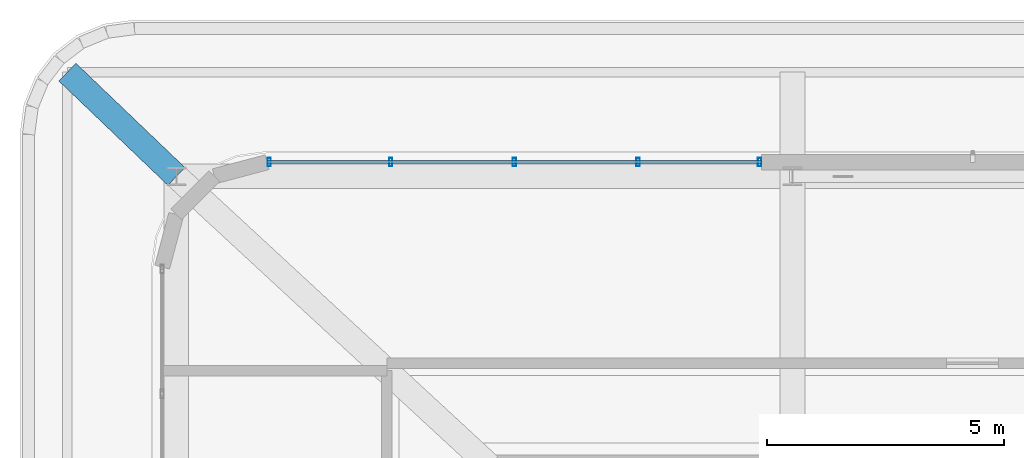
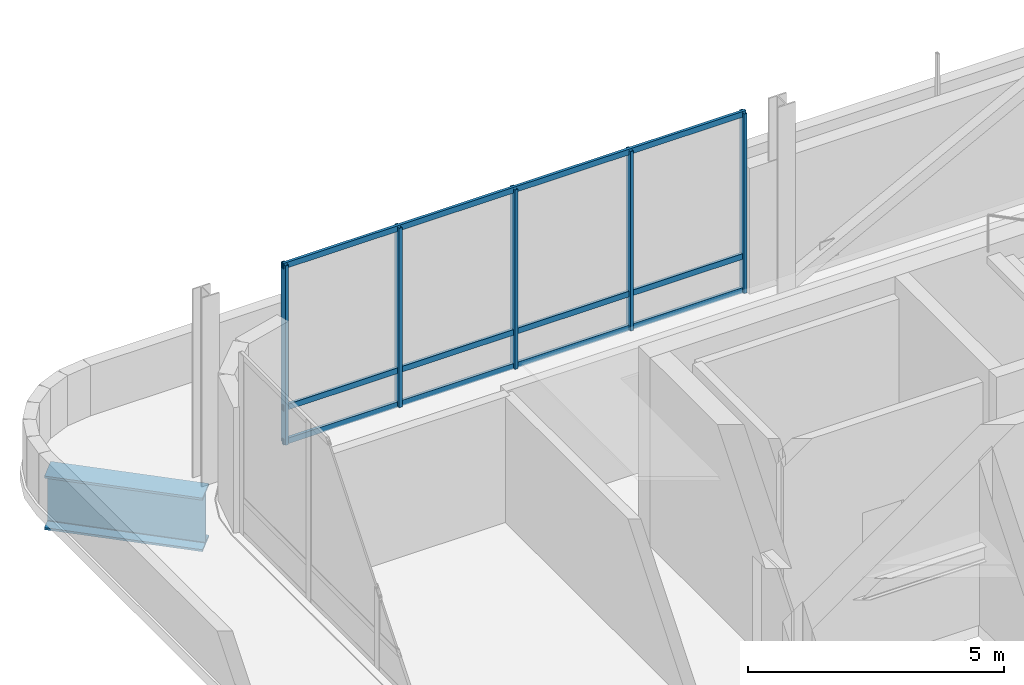
# One storey, part 17 of 28: 8 members, 1 beam, 1 element without a shape of its own.
"""IFC4 building model written with IfcOpenShell, lengths in metres."""

from ifc_helpers import new_model, si_unit, direction, frame, origin, origin_2d, place, context, subcontext, project, spatial, hollow_rectangle, i_section, extrude, material, material_profile, profile_set, type_object, element, aggregate, save


model = new_model("IFC4")

# Units and contexts
model_context = context("Model", 3, precision=1e-05, world=origin(), true_north=direction((0.0, 1.0)))
body_context = subcontext(model_context, "Body", "Model", "MODEL_VIEW")
ifc_project = project(units=[si_unit("LENGTHUNIT", "METRE"), si_unit("AREAUNIT", "SQUARE_METRE"), si_unit("VOLUMEUNIT", "CUBIC_METRE"), si_unit("PLANEANGLEUNIT", "RADIAN"), si_unit("MASSUNIT", "GRAM", prefix="KILO")], contexts=[model_context])

# Site, building, storey
site_placement = place(None, origin())
site = spatial("IfcSite", under=ifc_project, at=site_placement, CompositionType="ELEMENT")
building_placement = place(site_placement, origin())
building = spatial("IfcBuilding", under=site, at=building_placement, Name="Punatoya Terracotta Tower", CompositionType="ELEMENT")
storey_placement = place(building_placement, frame((0.0, 0.0, 352.800048828125)))
storey = spatial("IfcBuildingStorey", under=building, at=storey_placement, Name="L83", CompositionType="ELEMENT", Elevation=352.800048828125)

# Beam
ifc_material_1 = material(Name="Steel S460", Category="steel")
ifc_material_profile_1 = material_profile(ifc_material_1, i_section(OverallWidth=0.52001953125, OverallDepth=1.280029296875, WebThickness=0.031982421875, FlangeThickness=0.050048828125, FilletRadius=0.01806640625, at=origin_2d()))
ifc_profile_set_1 = profile_set([ifc_material_profile_1], Name="Steel S460")
beam_type = type_object("IfcBeamType", Name="BM-TG-NCK", PredefinedType="BEAM", material=ifc_profile_set_1)
beam_placement = place(storey_placement, frame((-19.10009765625, 17.5, -0.920166015625), z_axis=(0.722656850058, -0.691206971221, 0.0), x_axis=(0.691206971221, 0.722656850058, 0.0)))
element("IfcBeam", 1, at=beam_placement, inside=storey, type_object=beam_type, Name="BM-L83-CD4A", PredefinedType="BEAM", context=body_context, shape_type="SweptSolid", body=[
    extrude(i_section(OverallWidth=0.52001953125, OverallDepth=1.280029296875, WebThickness=0.031982421875, FlangeThickness=0.050048828125, FilletRadius=0.01806640625, at=origin_2d()), origin(), (0.0, 0.0, 1.0), 3.182861328125),
])

# Curtain wall, members
ifc_material_2 = material(Name="Aluminium 6063-T6 + Double Low-E Glass", Category="aluminium")
curtain_wall_type = type_object("IfcCurtainWallType", Name="CW-CRN", PredefinedType="NOTDEFINED", material=ifc_material_2)
curtain_wall_placement = place(storey_placement, origin())
curtain_wall = element("IfcCurtainWall", 2, at=curtain_wall_placement, inside=storey, type_object=curtain_wall_type, Name="L83 Curtain Wall CW-L83-N09-2", PredefinedType="NOTDEFINED")
ifc_material_3 = material(Name="Aluminium 6063-T6", Category="aluminium")
ifc_material_profile_2 = material_profile(ifc_material_3, hollow_rectangle(XDim=0.070068359375, YDim=0.179931640625, WallThickness=0.00390625, at=origin_2d()))
ifc_profile_set_2 = profile_set([ifc_material_profile_2], Name="Aluminium 6063-T6")
member_type_1 = type_object("IfcMemberType", Name="CW-MUL-M3", PredefinedType="MULLION", material=ifc_profile_set_2)
member_1_placement = place(storey_placement, frame((-4.4951171875, 15.60009765625, 0.0), z_axis=(0.0, 0.0, 1.0), x_axis=(1.0, 0.0, 0.0)))
member_1 = element("IfcMember", 3, at=member_1_placement, type_object=member_type_1, Name="CW-L83-N09-2 Mullion 00", PredefinedType="MULLION", context=body_context, shape_type="SweptSolid", body=[
    extrude(hollow_rectangle(XDim=0.070068359375, YDim=0.179931640625, WallThickness=0.00390625, at=origin_2d()), origin(), (0.0, 0.0, 1.0), 4.280029296875),
])
member_2_placement = place(storey_placement, frame((-7.05908203125, 15.60009765625, 0.0), z_axis=(0.0, 0.0, 1.0), x_axis=(1.0, 0.0, 0.0)))
member_2 = element("IfcMember", 4, at=member_2_placement, type_object=member_type_1, Name="CW-L83-N09-2 Mullion 01", PredefinedType="MULLION", context=body_context, shape_type="SweptSolid", body=[
    extrude(hollow_rectangle(XDim=0.070068359375, YDim=0.179931640625, WallThickness=0.00390625, at=origin_2d()), origin(), (0.0, 0.0, 1.0), 4.280029296875),
])
member_3_placement = place(storey_placement, frame((-9.66845703125, 15.60009765625, 0.0), z_axis=(0.0, 0.0, 1.0), x_axis=(1.0, 0.0, 0.0)))
member_3 = element("IfcMember", 5, at=member_3_placement, type_object=member_type_1, Name="CW-L83-N09-2 Mullion 02", PredefinedType="MULLION", context=body_context, shape_type="SweptSolid", body=[
    extrude(hollow_rectangle(XDim=0.070068359375, YDim=0.179931640625, WallThickness=0.00390625, at=origin_2d()), origin(), (0.0, 0.0, 1.0), 4.280029296875),
])
member_4_placement = place(storey_placement, frame((-12.277587890625, 15.60009765625, 0.0), z_axis=(0.0, 0.0, 1.0), x_axis=(1.0, 0.0, 0.0)))
member_4 = element("IfcMember", 6, at=member_4_placement, type_object=member_type_1, Name="CW-L83-N09-2 Mullion 03", PredefinedType="MULLION", context=body_context, shape_type="SweptSolid", body=[
    extrude(hollow_rectangle(XDim=0.070068359375, YDim=0.179931640625, WallThickness=0.00390625, at=origin_2d()), origin(), (0.0, 0.0, 1.0), 4.280029296875),
])
member_5_placement = place(storey_placement, frame((-14.841796875, 15.60009765625, 0.0), z_axis=(0.0, 0.0, 1.0), x_axis=(1.0, 0.0, 0.0)))
member_5 = element("IfcMember", 7, at=member_5_placement, type_object=member_type_1, Name="CW-L83-N09-2 Mullion 04", PredefinedType="MULLION", context=body_context, shape_type="SweptSolid", body=[
    extrude(hollow_rectangle(XDim=0.070068359375, YDim=0.179931640625, WallThickness=0.00390625, at=origin_2d()), origin(), (0.0, 0.0, 1.0), 4.280029296875),
])
ifc_material_profile_3 = material_profile(ifc_material_3, hollow_rectangle(XDim=0.06201171875, YDim=0.135009765625, WallThickness=0.00390625, at=origin_2d()))
ifc_profile_set_3 = profile_set([ifc_material_profile_3], Name="Aluminium 6063-T6")
member_type_2 = type_object("IfcMemberType", Name="CW-TRN-CRN", PredefinedType="USERDEFINED", material=ifc_profile_set_3)
member_6_placement = place(storey_placement, frame((-4.449951171875, 15.60009765625, 0.0400390625), z_axis=(-1.0, 0.0, 0.0), x_axis=(0.0, -1.0, 0.0)))
member_6 = element("IfcMember", 8, at=member_6_placement, type_object=member_type_2, Name="CW-L83-N09-2 Transom 1", ObjectType="TRANSOM", PredefinedType="USERDEFINED", context=body_context, shape_type="SweptSolid", body=[
    extrude(hollow_rectangle(XDim=0.06201171875, YDim=0.135009765625, WallThickness=0.00390625, at=origin_2d()), origin(), (0.0, 0.0, 1.0), 10.43701171875),
])
member_7_placement = place(storey_placement, frame((-4.449951171875, 15.60009765625, 0.849853515625), z_axis=(-1.0, 0.0, 0.0), x_axis=(0.0, -1.0, 0.0)))
member_7 = element("IfcMember", 9, at=member_7_placement, type_object=member_type_2, Name="CW-L83-N09-2 Transom 2", ObjectType="TRANSOM", PredefinedType="USERDEFINED", context=body_context, shape_type="SweptSolid", body=[
    extrude(hollow_rectangle(XDim=0.06201171875, YDim=0.135009765625, WallThickness=0.00390625, at=origin_2d()), origin(), (0.0, 0.0, 1.0), 10.43701171875),
])
member_8_placement = place(storey_placement, frame((-4.449951171875, 15.60009765625, 4.239990234375), z_axis=(-1.0, 0.0, 0.0), x_axis=(0.0, -1.0, 0.0)))
member_8 = element("IfcMember", 10, at=member_8_placement, type_object=member_type_2, Name="CW-L83-N09-2 Transom 3", ObjectType="TRANSOM", PredefinedType="USERDEFINED", context=body_context, shape_type="SweptSolid", body=[
    extrude(hollow_rectangle(XDim=0.06201171875, YDim=0.135009765625, WallThickness=0.00390625, at=origin_2d()), origin(), (0.0, 0.0, 1.0), 10.43701171875),
])
aggregate(curtain_wall, [member_1, member_2, member_3, member_4, member_5, member_6, member_7, member_8])

save(model, "model.ifc")
